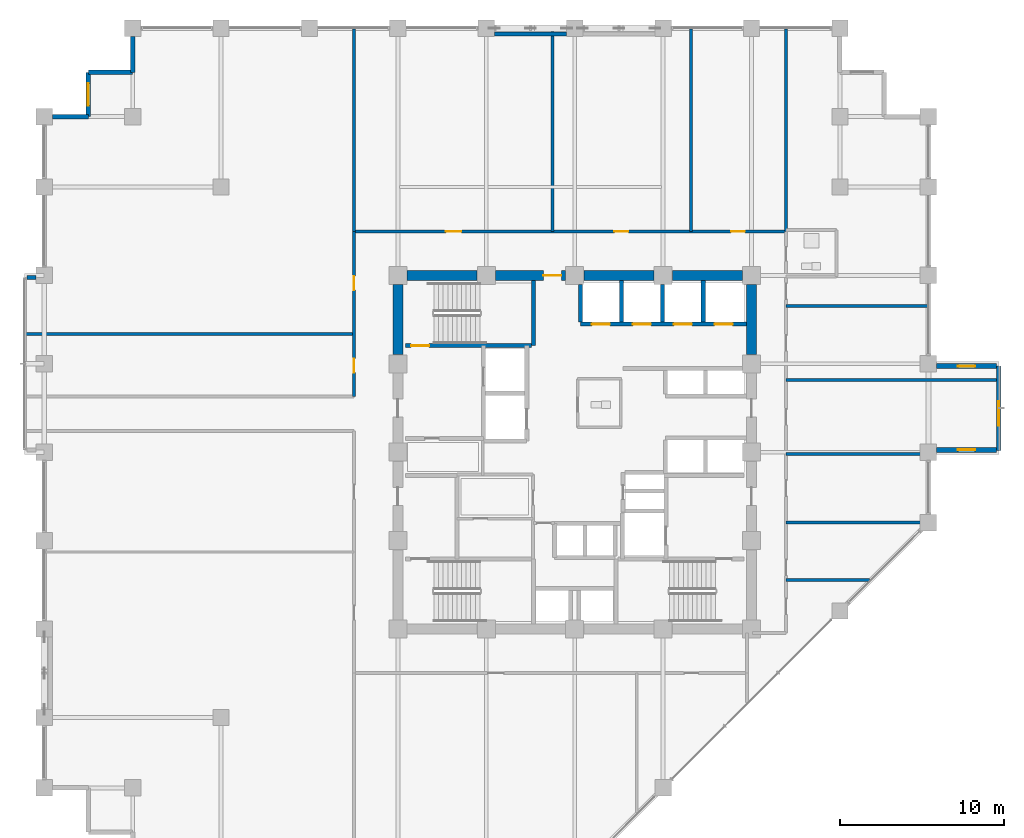
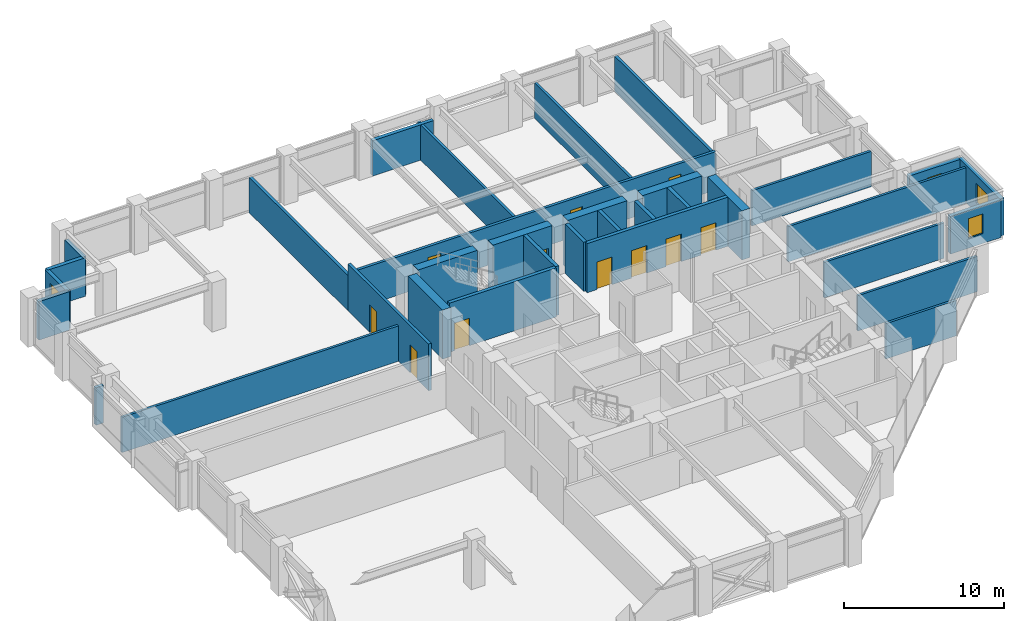
# One storey, part 21 of 26: 34 walls, 11 doors, 4 windows, 15 openings.
"""IFC4 building model written with IfcOpenShell, lengths in metres."""

from ifc_helpers import new_model, si_unit, direction, frame, frame_2d, origin, place, context, subcontext, project, spatial, rectangle, extrude, material, layer, layer_set, type_object, element, fill, save


model = new_model("IFC4")

# Units and contexts
model_context = context("Model", 3, precision=1e-05, world=origin(), true_north=direction((0.0, 1.0)))
body_context = subcontext(model_context, "Body", "Model", "MODEL_VIEW")
ifc_project = project(units=[si_unit("LENGTHUNIT", "METRE"), si_unit("AREAUNIT", "SQUARE_METRE"), si_unit("VOLUMEUNIT", "CUBIC_METRE"), si_unit("PLANEANGLEUNIT", "RADIAN"), si_unit("MASSUNIT", "GRAM", prefix="KILO")], contexts=[model_context])

# Site, building, storey
site_placement = place(None, origin())
site = spatial("IfcSite", under=ifc_project, at=site_placement, CompositionType="ELEMENT")
building_placement = place(site_placement, origin())
building = spatial("IfcBuilding", under=site, at=building_placement, Name="Surkhivell Harbour Commons", CompositionType="ELEMENT")
storey_placement = place(building_placement, frame((0.0, 0.0, 143.25)))
storey = spatial("IfcBuildingStorey", under=building, at=storey_placement, Name="L37", CompositionType="ELEMENT", Elevation=143.25)

# Wall
ifc_material_1 = material(Name="Concrete C60/75", Category="concrete")
ifc_layer_1 = layer(ifc_material_1, 0.60009765625)
ifc_layer_set_1 = layer_set([ifc_layer_1], Name="Concrete C60/75")
wall_type_1 = type_object("IfcWallType", Name="WAL-CORE-600", PredefinedType="SHEAR", material=ifc_layer_set_1)
wall_1_placement = place(storey_placement, frame((-10.239990234375, 10.800048828125, 0.0), z_axis=(0.0, 0.0, 1.0), x_axis=(1.0, 0.0, 0.0)))
element("IfcWall", 1, at=wall_1_placement, inside=storey, type_object=wall_type_1, Name="L37 Core Shear Wall North 1", PredefinedType="SHEAR", context=body_context, shape_type="SweptSolid", body=[
    extrude(rectangle(XDim=4.280029296875, YDim=0.60009765625, at=frame_2d((2.14013671875, 0.0))), origin(), (0.0, 0.0, 1.0), 3.75),
])

# Wall, opening, door
wall_2_placement = place(storey_placement, frame((-4.840087890625, 10.800048828125, 0.0), z_axis=(0.0, 0.0, 1.0), x_axis=(1.0, 0.0, 0.0)))
wall_2 = element("IfcWall", 2, at=wall_2_placement, inside=storey, type_object=wall_type_1, Name="L37 Core Shear Wall North 2", PredefinedType="SHEAR", context=body_context, shape_type="SweptSolid", body=[
    extrude(rectangle(XDim=4.280029296875, YDim=0.60009765625, at=frame_2d((2.14013671875, 0.0))), origin(), (0.0, 0.0, 1.0), 3.75),
])
opening_1_placement = place(wall_2_placement, frame((2.929931640625, 0.0, 0.0)))
opening_1 = element("IfcOpeningElement", 3, at=opening_1_placement, cuts=wall_2, Name="Opening ID-2", PredefinedType="OPENING", context=body_context, shape_type="SweptSolid", body=[
    extrude(rectangle(XDim=1.10009765625, YDim=2.10009765625, at=frame_2d((0.550048828125, 1.050048828125))), frame((0.0, 0.31005859375, 0.0), z_axis=(0.0, -1.0, 0.0), x_axis=(1.0, 0.0, 0.0)), (0.0, 0.0, 1.0), 0.6201171875),
])
ifc_material_2 = material(Name="Hardwood-veneered fire-rated door leaf", Category="wood")
door_type_1 = type_object("IfcDoorType", Name="DOR-FD60-1100", OperationType="NOTDEFINED", PredefinedType="DOOR", material=ifc_material_2)
door_1_placement = place(opening_1_placement, origin())
door_1 = element("IfcDoor", 4, at=door_1_placement, inside=storey, type_object=door_type_1, Name="L37 Central Core Lift Hall North Corridor Door", OperationType="SINGLE_SWING_LEFT", OverallHeight=2.10009765625, OverallWidth=1.10009765625, PredefinedType="DOOR", context=body_context, shape_type="SweptSolid", body=[
    extrude(rectangle(XDim=1.10009765625, YDim=2.10009765625, at=frame_2d((0.550048828125, 1.050048828125))), frame((0.0, 0.02490234375, 0.0), z_axis=(0.0, -1.0, 0.0), x_axis=(1.0, 0.0, 0.0)), (0.0, 0.0, 1.0), 0.050048828125),
])
fill(opening_1, door_1)

# Walls
for number, where, z_axis, x_axis, name in (
    (5, (0.56005859375, 10.800048828125, 0.0), (0.0, 0.0, 1.0), (1.0, 0.0, 0.0), "L37 Core Shear Wall North 3"),
    (6, (5.9599609375, 10.800048828125, 0.0), (0.0, 0.0, 1.0), (1.0, 0.0, 0.0), "L37 Core Shear Wall North 4"),
    (7, (-10.800048828125, 5.9599609375, 0.0), (0.0, 0.0, 1.0), (0.0, 1.0, 0.0), "L37 Core Shear Wall West 4"),
    (8, (10.800048828125, 5.9599609375, 0.0), (0.0, 0.0, 1.0), (0.0, 1.0, 0.0), "L37 Core Shear Wall East 4"),
):
    element("IfcWall", number, at=place(storey_placement, frame(where, z_axis=z_axis, x_axis=x_axis)), inside=storey, type_object=wall_type_1, Name=name, PredefinedType="SHEAR", context=body_context, shape_type="SweptSolid", body=[
        extrude(rectangle(XDim=4.280029296875, YDim=0.60009765625, at=frame_2d((2.14013671875, 0.0))), origin(), (0.0, 0.0, 1.0), 3.75),
    ])

# Wall, opening, window
ifc_material_3 = material(Name="Flemish-bond kiln brick and precast concrete C45/55", Category="masonry")
ifc_layer_2 = layer(ifc_material_3, 0.300048828125)
ifc_layer_set_2 = layer_set([ifc_layer_2], Name="Flemish-bond kiln brick and precast concrete C45/55")
wall_type_2 = type_object("IfcWallType", Name="WAL-EXT-BRK300", PredefinedType="STANDARD", material=ifc_layer_set_2)
wall_3_placement = place(storey_placement, frame((25.89990234375, 0.1201171875, 0.0), z_axis=(0.0, 0.0, 1.0), x_axis=(0.0, 1.0, 0.0)))
wall_3 = element("IfcWall", 9, at=wall_3_placement, inside=storey, type_object=wall_type_2, Name="L37 Coloured Box Front Wall 01", PredefinedType="STANDARD", context=body_context, shape_type="SweptSolid", body=[
    extrude(rectangle(XDim=5.159912109375, YDim=0.300048828125, at=frame_2d((2.580078125, 0.0))), origin(), (0.0, 0.0, 1.0), 2.85693359375),
])
opening_2_placement = place(wall_3_placement, frame((1.485107421875, 0.0, 0.75)))
opening_2 = element("IfcOpeningElement", 10, at=opening_2_placement, cuts=wall_3, Name="Opening WN-13", PredefinedType="OPENING", context=body_context, shape_type="SweptSolid", body=[
    extrude(rectangle(XDim=1.5, YDim=1.5, at=frame_2d((0.75, 0.75))), frame((0.0, 0.159912109375, 0.0), z_axis=(0.0, -1.0, 0.0), x_axis=(1.0, 0.0, 0.0)), (0.0, 0.0, 1.0), 0.320068359375),
])
ifc_material_4 = material(Name="Thermal-break aluminium frame and double low-E glazing", Category="aluminium")
window_type_1 = type_object("IfcWindowType", Name="WIN-BOX-1500x1500", PartitioningType="SINGLE_PANEL", PredefinedType="WINDOW", material=ifc_material_4)
window_1_placement = place(opening_2_placement, origin())
window_1 = element("IfcWindow", 11, at=window_1_placement, inside=storey, type_object=window_type_1, Name="L37 Coloured Box Square Window 01-1", OverallHeight=1.5, OverallWidth=1.5, PartitioningType="SINGLE_PANEL", PredefinedType="WINDOW", context=body_context, shape_type="SweptSolid", body=[
    extrude(rectangle(XDim=1.5, YDim=1.5, at=frame_2d((0.75, 0.75))), frame((0.0, 0.030029296875, 0.0), z_axis=(0.0, -1.0, 0.0), x_axis=(1.0, 0.0, 0.0)), (0.0, 0.0, 1.0), 0.06005859375),
])
fill(opening_2, window_1)

wall_4_placement = place(storey_placement, frame((22.10400390625, 0.139892578125, 0.0), z_axis=(0.0, 0.0, 1.0), x_axis=(1.0, 0.0, 0.0)))
wall_4 = element("IfcWall", 12, at=wall_4_placement, inside=storey, type_object=wall_type_2, Name="L37 Coloured Box Return Wall 01S", PredefinedType="STANDARD", context=body_context, shape_type="SweptSolid", body=[
    extrude(rectangle(XDim=3.656005859375, YDim=0.300048828125, at=frame_2d((1.828125, 0.0))), origin(), (0.0, 0.0, 1.0), 2.85693359375),
])
opening_3_placement = place(wall_4_placement, frame((1.302978515625, 0.0, 0.75)))
opening_3 = element("IfcOpeningElement", 13, at=opening_3_placement, cuts=wall_4, Name="Opening WN-11", PredefinedType="OPENING", context=body_context, shape_type="SweptSolid", body=[
    extrude(rectangle(XDim=1.050048828125, YDim=1.5, at=frame_2d((0.52490234375, 0.75))), frame((0.0, 0.159912109375, 0.0), z_axis=(0.0, -1.0, 0.0), x_axis=(1.0, 0.0, 0.0)), (0.0, 0.0, 1.0), 0.320068359375),
])
window_type_2 = type_object("IfcWindowType", Name="WIN-SER-1050x1500", PartitioningType="SINGLE_PANEL", PredefinedType="WINDOW", material=ifc_material_4)
window_2_placement = place(opening_3_placement, origin())
window_2 = element("IfcWindow", 14, at=window_2_placement, inside=storey, type_object=window_type_2, Name="L37 Coloured Box Return Window 01S", OverallHeight=1.5, OverallWidth=1.050048828125, PartitioningType="SINGLE_PANEL", PredefinedType="WINDOW", context=body_context, shape_type="SweptSolid", body=[
    extrude(rectangle(XDim=1.050048828125, YDim=1.5, at=frame_2d((0.52490234375, 0.75))), frame((0.0, 0.030029296875, 0.0), z_axis=(0.0, -1.0, 0.0), x_axis=(1.0, 0.0, 0.0)), (0.0, 0.0, 1.0), 0.06005859375),
])
fill(opening_3, window_2)

wall_5_placement = place(storey_placement, frame((22.10400390625, 5.260009765625, 0.0), z_axis=(0.0, 0.0, 1.0), x_axis=(1.0, 0.0, 0.0)))
wall_5 = element("IfcWall", 15, at=wall_5_placement, inside=storey, type_object=wall_type_2, Name="L37 Coloured Box Return Wall 01N", PredefinedType="STANDARD", context=body_context, shape_type="SweptSolid", body=[
    extrude(rectangle(XDim=3.656005859375, YDim=0.300048828125, at=frame_2d((1.828125, 0.0))), origin(), (0.0, 0.0, 1.0), 2.85693359375),
])
opening_4_placement = place(wall_5_placement, frame((1.302978515625, 0.0, 0.75)))
opening_4 = element("IfcOpeningElement", 16, at=opening_4_placement, cuts=wall_5, Name="Opening WN-11", PredefinedType="OPENING", context=body_context, shape_type="SweptSolid", body=[
    extrude(rectangle(XDim=1.050048828125, YDim=1.5, at=frame_2d((0.52490234375, 0.75))), frame((0.0, 0.159912109375, 0.0), z_axis=(0.0, -1.0, 0.0), x_axis=(1.0, 0.0, 0.0)), (0.0, 0.0, 1.0), 0.320068359375),
])
window_3_placement = place(opening_4_placement, origin())
window_3 = element("IfcWindow", 17, at=window_3_placement, inside=storey, type_object=window_type_2, Name="L37 Coloured Box Return Window 01N", OverallHeight=1.5, OverallWidth=1.050048828125, PartitioningType="SINGLE_PANEL", PredefinedType="WINDOW", context=body_context, shape_type="SweptSolid", body=[
    extrude(rectangle(XDim=1.050048828125, YDim=1.5, at=frame_2d((0.52490234375, 0.75))), frame((0.0, 0.030029296875, 0.0), z_axis=(0.0, -1.0, 0.0), x_axis=(1.0, 0.0, 0.0)), (0.0, 0.0, 1.0), 0.06005859375),
])
fill(opening_4, window_3)

# Walls
ifc_material_5 = material(Name="Pale-metal insulated precast concrete C45/55", Category="concrete")
ifc_layer_3 = layer(ifc_material_5, 0.260009765625)
ifc_layer_set_3 = layer_set([ifc_layer_3], Name="Pale-metal insulated precast concrete C45/55")
wall_type_3 = type_object("IfcWallType", Name="WAL-EXT-MTL260", PredefinedType="STANDARD", material=ifc_layer_set_3)
wall_6_placement = place(storey_placement, frame((-0.498046875, 25.5400390625, 0.0), z_axis=(0.0, 0.0, 1.0), x_axis=(-1.0, 0.0, 0.0)))
element("IfcWall", 18, at=wall_6_placement, inside=storey, type_object=wall_type_3, Name="L37 Braced-Bay Insulated Spandrel Backing N", PredefinedType="STANDARD", context=body_context, shape_type="SweptSolid", body=[
    extrude(rectangle(XDim=4.404052734375, YDim=0.260009765625, at=frame_2d((2.2021484375, 0.0))), origin(), (0.0, 0.0, 1.0), 2.698974609375),
])
ifc_material_6 = material(Name="Bronze-ochre cassette precast concrete C45/55", Category="concrete")
ifc_layer_4 = layer(ifc_material_6, 0.239990234375)
ifc_layer_set_4 = layer_set([ifc_layer_4], Name="Bronze-ochre cassette precast concrete C45/55")
wall_type_4 = type_object("IfcWallType", Name="WAL-EXT-OCH240", PredefinedType="STANDARD", material=ifc_layer_set_4)
wall_7_placement = place(storey_placement, frame((-33.4599609375, 10.659912109375, 0.0), z_axis=(0.0, 0.0, 1.0), x_axis=(1.0, 0.0, 0.0)))
element("IfcWall", 19, at=wall_7_placement, inside=storey, type_object=wall_type_4, Name="L37 Coloured Box Return Wall 02N", PredefinedType="STANDARD", context=body_context, shape_type="SweptSolid", body=[
    extrude(rectangle(XDim=0.555908203125, YDim=0.239990234375, at=frame_2d((0.27783203125, 0.0))), origin(), (0.0, 0.0, 1.0), 2.85693359375),
])
ifc_material_7 = material(Name="Terracotta-clad reinforced concrete C45/55", Category="masonry")
ifc_layer_5 = layer(ifc_material_7, 0.280029296875)
ifc_layer_set_5 = layer_set([ifc_layer_5], Name="Terracotta-clad reinforced concrete C45/55")
wall_type_5 = type_object("IfcWallType", Name="WAL-EXT-TER280", PredefinedType="STANDARD", material=ifc_layer_set_5)
wall_8_placement = place(storey_placement, frame((-27.0, 25.402099609375, 0.0), z_axis=(0.0, 0.0, 1.0), x_axis=(0.0, -1.0, 0.0)))
element("IfcWall", 20, at=wall_8_placement, inside=storey, type_object=wall_type_5, Name="L37 Serrated Corner Facade Wall 08", PredefinedType="STANDARD", context=body_context, shape_type="SweptSolid", body=[
    extrude(rectangle(XDim=2.2021484375, YDim=0.280029296875, at=frame_2d((1.10107421875, 0.0))), origin(), (0.0, 0.0, 1.0), 2.93310546875),
])
wall_9_placement = place(storey_placement, frame((-27.0, 23.199951171875, 0.0), z_axis=(0.0, 0.0, 1.0), x_axis=(-1.0, 0.0, 0.0)))
element("IfcWall", 21, at=wall_9_placement, inside=storey, type_object=wall_type_5, Name="L37 Serrated Corner Facade Wall 09", PredefinedType="STANDARD", context=body_context, shape_type="SweptSolid", body=[
    extrude(rectangle(XDim=2.699951171875, YDim=0.280029296875, at=frame_2d((1.35009765625, 0.0))), origin(), (0.0, 0.0, 1.0), 2.93310546875),
])

# Wall, opening, window
wall_10_placement = place(storey_placement, frame((-29.699951171875, 23.199951171875, 0.0), z_axis=(0.0, 0.0, 1.0), x_axis=(0.0, -1.0, 0.0)))
wall_10 = element("IfcWall", 22, at=wall_10_placement, inside=storey, type_object=wall_type_5, Name="L37 Serrated Corner Facade Wall 10", PredefinedType="STANDARD", context=body_context, shape_type="SweptSolid", body=[
    extrude(rectangle(XDim=2.699951171875, YDim=0.280029296875, at=frame_2d((1.35009765625, 0.0))), origin(), (0.0, 0.0, 1.0), 2.93310546875),
])
opening_5_placement = place(wall_10_placement, frame((0.675048828125, 0.0, 0.64990234375)))
opening_5 = element("IfcOpeningElement", 23, at=opening_5_placement, cuts=wall_10, Name="Opening WN-08", PredefinedType="OPENING", context=body_context, shape_type="SweptSolid", body=[
    extrude(rectangle(XDim=1.35009765625, YDim=1.64990234375, at=frame_2d((0.675048828125, 0.824951171875))), frame((0.0, 0.14990234375, 0.0), z_axis=(0.0, -1.0, 0.0), x_axis=(1.0, 0.0, 0.0)), (0.0, 0.0, 1.0), 0.300048828125),
])
window_type_3 = type_object("IfcWindowType", Name="WIN-SER-1350x1650", PartitioningType="SINGLE_PANEL", PredefinedType="WINDOW", material=ifc_material_4)
window_4_placement = place(opening_5_placement, origin())
window_4 = element("IfcWindow", 24, at=window_4_placement, inside=storey, type_object=window_type_3, Name="L37 Serrated Alcove Window 10", OverallHeight=1.64990234375, OverallWidth=1.35009765625, PartitioningType="SINGLE_PANEL", PredefinedType="WINDOW", context=body_context, shape_type="SweptSolid", body=[
    extrude(rectangle(XDim=1.35009765625, YDim=1.64990234375, at=frame_2d((0.675048828125, 0.824951171875))), frame((0.0, 0.030029296875, 0.0), z_axis=(0.0, -1.0, 0.0), x_axis=(1.0, 0.0, 0.0)), (0.0, 0.0, 1.0), 0.06005859375),
])
fill(opening_5, window_4)

# Walls
wall_11_placement = place(storey_placement, frame((-29.699951171875, 20.5, 0.0), z_axis=(0.0, 0.0, 1.0), x_axis=(-1.0, 0.0, 0.0)))
element("IfcWall", 25, at=wall_11_placement, inside=storey, type_object=wall_type_5, Name="L37 Serrated Corner Facade Wall 11", PredefinedType="STANDARD", context=body_context, shape_type="SweptSolid", body=[
    extrude(rectangle(XDim=2.2021484375, YDim=0.280029296875, at=frame_2d((1.10107421875, 0.0))), origin(), (0.0, 0.0, 1.0), 2.93310546875),
])
ifc_material_8 = material(Name="High-density acoustic blockwork fire partition", Category="masonry")
ifc_layer_6 = layer(ifc_material_8, 0.175048828125)
ifc_layer_set_6 = layer_set([ifc_layer_6], Name="High-density acoustic blockwork fire partition")
wall_type_6 = type_object("IfcWallType", Name="WAL-INT-175", PredefinedType="PARTITIONING", material=ifc_layer_set_6)
wall_12_placement = place(storey_placement, frame((12.89990234375, -4.2900390625, 0.0), z_axis=(0.0, 0.0, 1.0), x_axis=(1.0, 0.0, 0.0)))
element("IfcWall", 26, at=wall_12_placement, inside=storey, type_object=wall_type_6, Name="L37 East Partition BDP1", PredefinedType="PARTITIONING", context=body_context, shape_type="SweptSolid", body=[
    extrude(rectangle(XDim=8.625244140625, YDim=0.175048828125, at=frame_2d((4.3125, 0.0))), origin(), (0.0, 0.0, 1.0), 2.698974609375),
])
wall_13_placement = place(storey_placement, frame((12.89990234375, -0.10009765625, 0.0), z_axis=(0.0, 0.0, 1.0), x_axis=(1.0, 0.0, 0.0)))
element("IfcWall", 27, at=wall_13_placement, inside=storey, type_object=wall_type_6, Name="L37 East Partition BDP2", PredefinedType="PARTITIONING", context=body_context, shape_type="SweptSolid", body=[
    extrude(rectangle(XDim=8.64013671875, YDim=0.175048828125, at=frame_2d((4.320068359375, 0.0))), origin(), (0.0, 0.0, 1.0), 2.698974609375),
])
wall_14_placement = place(storey_placement, frame((12.89990234375, 4.409912109375, 0.0), z_axis=(0.0, 0.0, 1.0), x_axis=(1.0, 0.0, 0.0)))
element("IfcWall", 28, at=wall_14_placement, inside=storey, type_object=wall_type_6, Name="L37 East Partition BDP3", PredefinedType="PARTITIONING", context=body_context, shape_type="SweptSolid", body=[
    extrude(rectangle(XDim=12.940185546875, YDim=0.175048828125, at=frame_2d((6.47021484375, 0.0))), origin(), (0.0, 0.0, 1.0), 2.698974609375),
])
wall_15_placement = place(storey_placement, frame((12.89990234375, -7.800048828125, 0.0), z_axis=(0.0, 0.0, 1.0), x_axis=(1.0, 0.0, 0.0)))
element("IfcWall", 29, at=wall_15_placement, inside=storey, type_object=wall_type_6, Name="L37 East Partition PBOT", PredefinedType="PARTITIONING", context=body_context, shape_type="SweptSolid", body=[
    extrude(rectangle(XDim=5.115234375, YDim=0.175048828125, at=frame_2d((2.5576171875, 0.0))), origin(), (0.0, 0.0, 1.0), 2.698974609375),
])
wall_16_placement = place(storey_placement, frame((12.89990234375, 8.929931640625, 0.0), z_axis=(0.0, 0.0, 1.0), x_axis=(1.0, 0.0, 0.0)))
element("IfcWall", 30, at=wall_16_placement, inside=storey, type_object=wall_type_6, Name="L37 East Partition PTOP", PredefinedType="PARTITIONING", context=body_context, shape_type="SweptSolid", body=[
    extrude(rectangle(XDim=8.64013671875, YDim=0.175048828125, at=frame_2d((4.320068359375, 0.0))), origin(), (0.0, 0.0, 1.0), 2.698974609375),
])
for number, where, z_axis, x_axis, name in (
    (31, (-1.35009765625, 13.47998046875, 0.0), (0.0, 0.0, 1.0), (0.0, 1.0, 0.0), "L37 North Partition P1"),
    (32, (7.10009765625, 13.47998046875, 0.0), (0.0, 0.0, 1.0), (0.0, 1.0, 0.0), "L37 North Partition P2"),
):
    element("IfcWall", number, at=place(storey_placement, frame(where, z_axis=z_axis, x_axis=x_axis)), inside=storey, type_object=wall_type_6, Name=name, PredefinedType="PARTITIONING", context=body_context, shape_type="SweptSolid", body=[
        extrude(rectangle(XDim=12.360107421875, YDim=0.175048828125, at=frame_2d((6.18017578125, 0.0))), origin(), (0.0, 0.0, 1.0), 2.698974609375),
    ])
wall_17_placement = place(storey_placement, frame((-33.5400390625, 7.22998046875, 0.0), z_axis=(0.0, 0.0, 1.0), x_axis=(1.0, 0.0, 0.0)))
element("IfcWall", 33, at=wall_17_placement, inside=storey, type_object=wall_type_6, Name="L37 North-West Partition P1", PredefinedType="PARTITIONING", context=body_context, shape_type="SweptSolid", body=[
    extrude(rectangle(XDim=20.06005859375, YDim=0.175048828125, at=frame_2d((10.030029296875, 0.0))), origin(), (0.0, 0.0, 1.0), 2.698974609375),
])
ifc_material_9 = material(Name="Autoclaved aerated concrete blockwork and fire plaster", Category="masonry")
ifc_layer_7 = layer(ifc_material_9, 0.199951171875)
ifc_layer_set_7 = layer_set([ifc_layer_7], Name="Autoclaved aerated concrete blockwork and fire plaster")
wall_type_7 = type_object("IfcWallType", Name="WAL-INT-200", PredefinedType="PARTITIONING", material=ifc_layer_set_7)
for number, where, z_axis, x_axis, name in (
    (34, (12.89990234375, 13.47998046875, 0.0), (0.0, 0.0, 1.0), (0.0, 1.0, 0.0), "L37 North-East Wing Corner Divider"),
    (35, (-13.47998046875, 13.47998046875, 0.0), (0.0, 0.0, 1.0), (0.0, 1.0, 0.0), "L37 North-West Wing Corner Divider"),
):
    element("IfcWall", number, at=place(storey_placement, frame(where, z_axis=z_axis, x_axis=x_axis)), inside=storey, type_object=wall_type_7, Name=name, PredefinedType="PARTITIONING", context=body_context, shape_type="SweptSolid", body=[
        extrude(rectangle(XDim=12.360107421875, YDim=0.199951171875, at=frame_2d((6.18017578125, 0.0))), origin(), (0.0, 0.0, 1.0), 2.698974609375),
    ])

# Wall, openings, doors
wall_18_placement = place(storey_placement, frame((-13.47998046875, 13.47998046875, 0.0), z_axis=(0.0, 0.0, 1.0), x_axis=(1.0, 0.0, 0.0)))
wall_18 = element("IfcWall", 36, at=wall_18_placement, inside=storey, type_object=wall_type_7, Name="L37 Corridor North Wall", PredefinedType="PARTITIONING", context=body_context, shape_type="SweptSolid", body=[
    extrude(rectangle(XDim=26.3798828125, YDim=0.199951171875, at=frame_2d((13.18994140625, 0.0))), origin(), (0.0, 0.0, 1.0), 2.93310546875),
])
opening_6_placement = place(wall_18_placement, frame((5.614990234375, 0.0, 0.0)))
opening_6 = element("IfcOpeningElement", 37, at=opening_6_placement, cuts=wall_18, Name="Opening ID-4", PredefinedType="OPENING", context=body_context, shape_type="SweptSolid", body=[
    extrude(rectangle(XDim=0.949951171875, YDim=2.10009765625, at=frame_2d((0.47509765625, 1.050048828125))), frame((0.0, 0.10986328125, 0.0), z_axis=(0.0, -1.0, 0.0), x_axis=(1.0, 0.0, 0.0)), (0.0, 0.0, 1.0), 0.219970703125),
])
opening_7_placement = place(wall_18_placement, frame((15.905029296875, 0.0, 0.0)))
opening_7 = element("IfcOpeningElement", 38, at=opening_7_placement, cuts=wall_18, Name="Opening ID-6", PredefinedType="OPENING", context=body_context, shape_type="SweptSolid", body=[
    extrude(rectangle(XDim=0.85009765625, YDim=2.10009765625, at=frame_2d((0.425048828125, 1.050048828125))), frame((0.0, 0.10986328125, 0.0), z_axis=(0.0, -1.0, 0.0), x_axis=(1.0, 0.0, 0.0)), (0.0, 0.0, 1.0), 0.219970703125),
])
opening_8_placement = place(wall_18_placement, frame((23.030029296875, 0.0, 0.0)))
opening_8 = element("IfcOpeningElement", 39, at=opening_8_placement, cuts=wall_18, Name="Opening ID-6", PredefinedType="OPENING", context=body_context, shape_type="SweptSolid", body=[
    extrude(rectangle(XDim=0.85009765625, YDim=2.10009765625, at=frame_2d((0.425048828125, 1.050048828125))), frame((0.0, 0.10986328125, 0.0), z_axis=(0.0, -1.0, 0.0), x_axis=(1.0, 0.0, 0.0)), (0.0, 0.0, 1.0), 0.219970703125),
])
door_type_2 = type_object("IfcDoorType", Name="DOR-FD30-850", OperationType="NOTDEFINED", PredefinedType="DOOR", material=ifc_material_2)
door_2_placement = place(opening_7_placement, origin())
door_2 = element("IfcDoor", 40, at=door_2_placement, inside=storey, type_object=door_type_2, Name="L37 Harbour Social Lounge North Door", OperationType="SINGLE_SWING_LEFT", OverallHeight=2.10009765625, OverallWidth=0.85009765625, PredefinedType="DOOR", context=body_context, shape_type="SweptSolid", body=[
    extrude(rectangle(XDim=0.85009765625, YDim=2.10009765625, at=frame_2d((0.425048828125, 1.050048828125))), frame((0.0, 0.02490234375, 0.0), z_axis=(0.0, -1.0, 0.0), x_axis=(1.0, 0.0, 0.0)), (0.0, 0.0, 1.0), 0.050048828125),
])
fill(opening_7, door_2)
door_3_placement = place(opening_8_placement, origin())
door_3 = element("IfcDoor", 41, at=door_3_placement, inside=storey, type_object=door_type_2, Name="L37 Resident Social Lounge 3 North Door", OperationType="SINGLE_SWING_RIGHT", OverallHeight=2.10009765625, OverallWidth=0.85009765625, PredefinedType="DOOR", context=body_context, shape_type="SweptSolid", body=[
    extrude(rectangle(XDim=0.85009765625, YDim=2.10009765625, at=frame_2d((0.425048828125, 1.050048828125))), frame((0.0, 0.02490234375, 0.0), z_axis=(0.0, -1.0, 0.0), x_axis=(1.0, 0.0, 0.0)), (0.0, 0.0, 1.0), 0.050048828125),
])
fill(opening_8, door_3)
door_type_3 = type_object("IfcDoorType", Name="DOR-FD60-950", OperationType="NOTDEFINED", PredefinedType="DOOR", material=ifc_material_2)
door_4_placement = place(opening_6_placement, origin())
door_4 = element("IfcDoor", 42, at=door_4_placement, inside=storey, type_object=door_type_3, Name="L37 Harbour Social Lounge North Door", OperationType="SINGLE_SWING_RIGHT", OverallHeight=2.10009765625, OverallWidth=0.949951171875, PredefinedType="DOOR", context=body_context, shape_type="SweptSolid", body=[
    extrude(rectangle(XDim=0.949951171875, YDim=2.10009765625, at=frame_2d((0.47509765625, 1.050048828125))), frame((0.0, 0.02490234375, 0.0), z_axis=(0.0, -1.0, 0.0), x_axis=(1.0, 0.0, 0.0)), (0.0, 0.0, 1.0), 0.050048828125),
])
fill(opening_6, door_4)

wall_19_placement = place(storey_placement, frame((-13.47998046875, 3.39990234375, 0.0), z_axis=(0.0, 0.0, 1.0), x_axis=(0.0, 1.0, 0.0)))
wall_19 = element("IfcWall", 43, at=wall_19_placement, inside=storey, type_object=wall_type_7, Name="L37 Corridor West-Upper Wall", PredefinedType="PARTITIONING", context=body_context, shape_type="SweptSolid", body=[
    extrude(rectangle(XDim=10.080078125, YDim=0.199951171875, at=frame_2d((5.0400390625, 0.0))), origin(), (0.0, 0.0, 1.0), 3.570068359375),
])
opening_9_placement = place(wall_19_placement, frame((1.465087890625, 0.0, 0.0)))
opening_9 = element("IfcOpeningElement", 44, at=opening_9_placement, cuts=wall_19, Name="Opening ID-6", PredefinedType="OPENING", context=body_context, shape_type="SweptSolid", body=[
    extrude(rectangle(XDim=0.85009765625, YDim=2.10009765625, at=frame_2d((0.425048828125, 1.050048828125))), frame((0.0, 0.10986328125, 0.0), z_axis=(0.0, -1.0, 0.0), x_axis=(1.0, 0.0, 0.0)), (0.0, 0.0, 1.0), 0.219970703125),
])
opening_10_placement = place(wall_19_placement, frame((6.5048828125, 0.0, 0.0)))
opening_10 = element("IfcOpeningElement", 45, at=opening_10_placement, cuts=wall_19, Name="Opening ID-6", PredefinedType="OPENING", context=body_context, shape_type="SweptSolid", body=[
    extrude(rectangle(XDim=0.85009765625, YDim=2.10009765625, at=frame_2d((0.425048828125, 1.050048828125))), frame((0.0, 0.10986328125, 0.0), z_axis=(0.0, -1.0, 0.0), x_axis=(1.0, 0.0, 0.0)), (0.0, 0.0, 1.0), 0.219970703125),
])
door_5_placement = place(opening_9_placement, origin())
door_5 = element("IfcDoor", 46, at=door_5_placement, inside=storey, type_object=door_type_2, Name="L37 Harbour Reading Library North-West Door", OperationType="SINGLE_SWING_RIGHT", OverallHeight=2.10009765625, OverallWidth=0.85009765625, PredefinedType="DOOR", context=body_context, shape_type="SweptSolid", body=[
    extrude(rectangle(XDim=0.85009765625, YDim=2.10009765625, at=frame_2d((0.425048828125, 1.050048828125))), frame((0.0, 0.02490234375, 0.0), z_axis=(0.0, -1.0, 0.0), x_axis=(1.0, 0.0, 0.0)), (0.0, 0.0, 1.0), 0.050048828125),
])
fill(opening_9, door_5)
door_6_placement = place(opening_10_placement, origin())
door_6 = element("IfcDoor", 47, at=door_6_placement, inside=storey, type_object=door_type_2, Name="L37 Communal Dining Hall North-West Door", OperationType="SINGLE_SWING_LEFT", OverallHeight=2.10009765625, OverallWidth=0.85009765625, PredefinedType="DOOR", context=body_context, shape_type="SweptSolid", body=[
    extrude(rectangle(XDim=0.85009765625, YDim=2.10009765625, at=frame_2d((0.425048828125, 1.050048828125))), frame((0.0, 0.02490234375, 0.0), z_axis=(0.0, -1.0, 0.0), x_axis=(1.0, 0.0, 0.0)), (0.0, 0.0, 1.0), 0.050048828125),
])
fill(opening_10, door_6)

# Walls
ifc_material_10 = material(Name="Concrete C50/60", Category="concrete")
ifc_layer_8 = layer(ifc_material_10, 0.25)
ifc_layer_set_8 = layer_set([ifc_layer_8], Name="Concrete C50/60")
wall_type_8 = type_object("IfcWallType", Name="WAL-SHAFT-250", PredefinedType="SHEAR", material=ifc_layer_set_8)
wall_20_placement = place(storey_placement, frame((2.85009765625, 7.93994140625, 0.0), z_axis=(0.0, 0.0, 1.0), x_axis=(0.0, 1.0, 0.0)))
element("IfcWall", 48, at=wall_20_placement, inside=storey, type_object=wall_type_8, Name="L37 Low-Rise Hoistway Wall", PredefinedType="SHEAR", context=body_context, shape_type="SweptSolid", body=[
    extrude(rectangle(XDim=2.56005859375, YDim=0.25, at=frame_2d((1.280029296875, 0.0))), origin(), (0.0, 0.0, 1.0), 3.75),
])
for number, where, z_axis, x_axis, name in (
    (49, (0.35009765625, 7.93994140625, 0.0), (0.0, 0.0, 1.0), (0.0, 1.0, 0.0), "L37 Low-Rise Hoistway Wall"),
    (50, (5.35009765625, 7.93994140625, 0.0), (0.0, 0.0, 1.0), (0.0, 1.0, 0.0), "L37 Low-Rise Hoistway Wall"),
):
    element("IfcWall", number, at=place(storey_placement, frame(where, z_axis=z_axis, x_axis=x_axis)), inside=storey, type_object=wall_type_8, Name=name, PredefinedType="SHEAR", context=body_context, shape_type="SweptSolid", body=[
        extrude(rectangle(XDim=2.31005859375, YDim=0.25, at=frame_2d((1.155029296875, 0.0))), origin(), (0.0, 0.0, 1.0), 3.75),
    ])
wall_21_placement = place(storey_placement, frame((7.85009765625, 7.93994140625, 0.0), z_axis=(0.0, 0.0, 1.0), x_axis=(0.0, 1.0, 0.0)))
element("IfcWall", 51, at=wall_21_placement, inside=storey, type_object=wall_type_8, Name="L37 Low-Rise Hoistway Wall", PredefinedType="SHEAR", context=body_context, shape_type="SweptSolid", body=[
    extrude(rectangle(XDim=2.56005859375, YDim=0.25, at=frame_2d((1.280029296875, 0.0))), origin(), (0.0, 0.0, 1.0), 3.75),
])

# Wall, openings, doors
wall_22_placement = place(storey_placement, frame((0.35009765625, 7.820068359375, 0.0), z_axis=(0.0, 0.0, 1.0), x_axis=(1.0, 0.0, 0.0)))
wall_22 = element("IfcWall", 52, at=wall_22_placement, inside=storey, type_object=wall_type_8, Name="L37 Low-Rise Lift Front Shaft Wall", PredefinedType="SHEAR", context=body_context, shape_type="SweptSolid", body=[
    extrude(rectangle(XDim=10.14990234375, YDim=0.25, at=frame_2d((5.074951171875, 0.0))), origin(), (0.0, 0.0, 1.0), 3.75),
])
opening_11_placement = place(wall_22_placement, frame((0.699951171875, 0.0, 0.0)))
opening_11 = element("IfcOpeningElement", 53, at=opening_11_placement, cuts=wall_22, Name="Opening LD-1", PredefinedType="OPENING", context=body_context, shape_type="SweptSolid", body=[
    extrude(rectangle(XDim=1.10009765625, YDim=2.10009765625, at=frame_2d((0.550048828125, 1.050048828125))), frame((0.0, 0.135009765625, 0.0), z_axis=(0.0, -1.0, 0.0), x_axis=(1.0, 0.0, 0.0)), (0.0, 0.0, 1.0), 0.27001953125),
])
opening_12_placement = place(wall_22_placement, frame((3.199951171875, 0.0, 0.0)))
opening_12 = element("IfcOpeningElement", 54, at=opening_12_placement, cuts=wall_22, Name="Opening LD-1", PredefinedType="OPENING", context=body_context, shape_type="SweptSolid", body=[
    extrude(rectangle(XDim=1.10009765625, YDim=2.10009765625, at=frame_2d((0.550048828125, 1.050048828125))), frame((0.0, 0.135009765625, 0.0), z_axis=(0.0, -1.0, 0.0), x_axis=(1.0, 0.0, 0.0)), (0.0, 0.0, 1.0), 0.27001953125),
])
opening_13_placement = place(wall_22_placement, frame((5.699951171875, 0.0, 0.0)))
opening_13 = element("IfcOpeningElement", 55, at=opening_13_placement, cuts=wall_22, Name="Opening LD-1", PredefinedType="OPENING", context=body_context, shape_type="SweptSolid", body=[
    extrude(rectangle(XDim=1.10009765625, YDim=2.10009765625, at=frame_2d((0.550048828125, 1.050048828125))), frame((0.0, 0.135009765625, 0.0), z_axis=(0.0, -1.0, 0.0), x_axis=(1.0, 0.0, 0.0)), (0.0, 0.0, 1.0), 0.27001953125),
])
opening_14_placement = place(wall_22_placement, frame((8.199951171875, 0.0, 0.0)))
opening_14 = element("IfcOpeningElement", 56, at=opening_14_placement, cuts=wall_22, Name="Opening LD-1", PredefinedType="OPENING", context=body_context, shape_type="SweptSolid", body=[
    extrude(rectangle(XDim=1.10009765625, YDim=2.10009765625, at=frame_2d((0.550048828125, 1.050048828125))), frame((0.0, 0.135009765625, 0.0), z_axis=(0.0, -1.0, 0.0), x_axis=(1.0, 0.0, 0.0)), (0.0, 0.0, 1.0), 0.27001953125),
])
ifc_material_11 = material(Name="Brushed stainless steel S355", Category="steel")
door_type_4 = type_object("IfcDoorType", Name="DOR-LD-1100", OperationType="SLIDING_TO_LEFT", PredefinedType="DOOR", material=ifc_material_11)
door_7_placement = place(opening_11_placement, origin())
door_7 = element("IfcDoor", 57, at=door_7_placement, inside=storey, type_object=door_type_4, Name="L37 Lift Landing Door LD-PL1", OperationType="SLIDING_TO_LEFT", OverallHeight=2.10009765625, OverallWidth=1.10009765625, PredefinedType="DOOR", context=body_context, shape_type="SweptSolid", body=[
    extrude(rectangle(XDim=1.10009765625, YDim=2.10009765625, at=frame_2d((0.550048828125, 1.050048828125))), frame((0.0, 0.02490234375, 0.0), z_axis=(0.0, -1.0, 0.0), x_axis=(1.0, 0.0, 0.0)), (0.0, 0.0, 1.0), 0.050048828125),
])
fill(opening_11, door_7)
door_8_placement = place(opening_12_placement, origin())
door_8 = element("IfcDoor", 58, at=door_8_placement, inside=storey, type_object=door_type_4, Name="L37 Lift Landing Door LD-PL2", OperationType="SLIDING_TO_LEFT", OverallHeight=2.10009765625, OverallWidth=1.10009765625, PredefinedType="DOOR", context=body_context, shape_type="SweptSolid", body=[
    extrude(rectangle(XDim=1.10009765625, YDim=2.10009765625, at=frame_2d((0.550048828125, 1.050048828125))), frame((0.0, 0.02490234375, 0.0), z_axis=(0.0, -1.0, 0.0), x_axis=(1.0, 0.0, 0.0)), (0.0, 0.0, 1.0), 0.050048828125),
])
fill(opening_12, door_8)
door_9_placement = place(opening_13_placement, origin())
door_9 = element("IfcDoor", 59, at=door_9_placement, inside=storey, type_object=door_type_4, Name="L37 Lift Landing Door LD-PL3", OperationType="SLIDING_TO_LEFT", OverallHeight=2.10009765625, OverallWidth=1.10009765625, PredefinedType="DOOR", context=body_context, shape_type="SweptSolid", body=[
    extrude(rectangle(XDim=1.10009765625, YDim=2.10009765625, at=frame_2d((0.550048828125, 1.050048828125))), frame((0.0, 0.02490234375, 0.0), z_axis=(0.0, -1.0, 0.0), x_axis=(1.0, 0.0, 0.0)), (0.0, 0.0, 1.0), 0.050048828125),
])
fill(opening_13, door_9)
door_10_placement = place(opening_14_placement, origin())
door_10 = element("IfcDoor", 60, at=door_10_placement, inside=storey, type_object=door_type_4, Name="L37 Lift Landing Door LD-PL4", OperationType="SLIDING_TO_LEFT", OverallHeight=2.10009765625, OverallWidth=1.10009765625, PredefinedType="DOOR", context=body_context, shape_type="SweptSolid", body=[
    extrude(rectangle(XDim=1.10009765625, YDim=2.10009765625, at=frame_2d((0.550048828125, 1.050048828125))), frame((0.0, 0.02490234375, 0.0), z_axis=(0.0, -1.0, 0.0), x_axis=(1.0, 0.0, 0.0)), (0.0, 0.0, 1.0), 0.050048828125),
])
fill(opening_14, door_10)

# Wall
wall_23_placement = place(storey_placement, frame((-2.510009765625, 6.510009765625, 0.0), z_axis=(0.0, 0.0, 1.0), x_axis=(0.0, 1.0, 0.0)))
element("IfcWall", 61, at=wall_23_placement, inside=storey, type_object=wall_type_8, Name="L37 Stair ST1 East Shear Wall", PredefinedType="SHEAR", context=body_context, shape_type="SweptSolid", body=[
    extrude(rectangle(XDim=3.989990234375, YDim=0.25, at=frame_2d((1.9951171875, 0.0))), origin(), (0.0, 0.0, 1.0), 3.75),
])

# Wall, opening, door
wall_24_placement = place(storey_placement, frame((-10.340087890625, 6.510009765625, 0.0), z_axis=(0.0, 0.0, 1.0), x_axis=(1.0, 0.0, 0.0)))
wall_24 = element("IfcWall", 62, at=wall_24_placement, inside=storey, type_object=wall_type_8, Name="L37 Stair ST1 South Shear Wall", PredefinedType="SHEAR", context=body_context, shape_type="SweptSolid", body=[
    extrude(rectangle(XDim=7.7001953125, YDim=0.25, at=frame_2d((3.85009765625, 0.0))), origin(), (0.0, 0.0, 1.0), 3.75),
])
opening_15_placement = place(wall_24_placement, frame((0.35009765625, 0.0, 0.0)))
opening_15 = element("IfcOpeningElement", 63, at=opening_15_placement, cuts=wall_24, Name="Opening ID-2", PredefinedType="OPENING", context=body_context, shape_type="SweptSolid", body=[
    extrude(rectangle(XDim=1.10009765625, YDim=2.10009765625, at=frame_2d((0.550048828125, 1.050048828125))), frame((0.0, 0.135009765625, 0.0), z_axis=(0.0, -1.0, 0.0), x_axis=(1.0, 0.0, 0.0)), (0.0, 0.0, 1.0), 0.27001953125),
])
door_11_placement = place(opening_15_placement, origin())
door_11 = element("IfcDoor", 64, at=door_11_placement, inside=storey, type_object=door_type_1, Name="L37 Stair ST1 Exit Door", OperationType="SINGLE_SWING_LEFT", OverallHeight=2.10009765625, OverallWidth=1.10009765625, PredefinedType="DOOR", context=body_context, shape_type="SweptSolid", body=[
    extrude(rectangle(XDim=1.10009765625, YDim=2.10009765625, at=frame_2d((0.550048828125, 1.050048828125))), frame((0.0, 0.02490234375, 0.0), z_axis=(0.0, -1.0, 0.0), x_axis=(1.0, 0.0, 0.0)), (0.0, 0.0, 1.0), 0.050048828125),
])
fill(opening_15, door_11)

save(model, "model.ifc")
